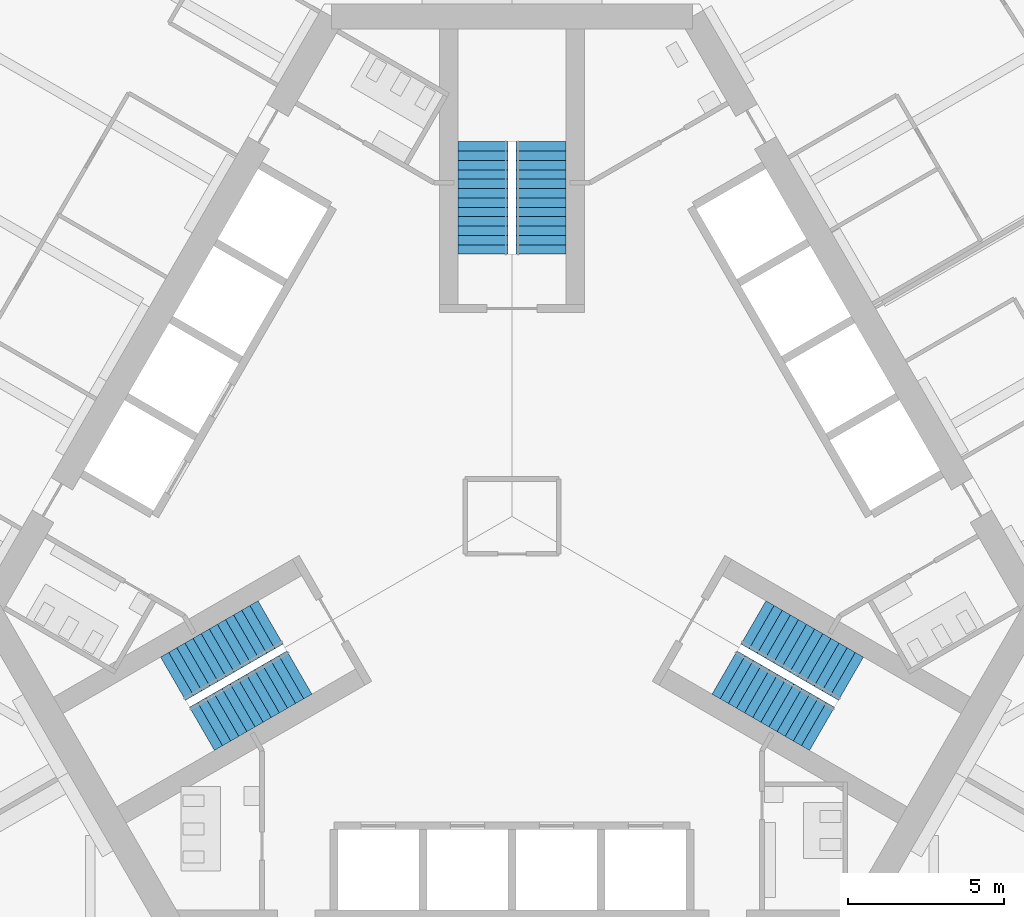
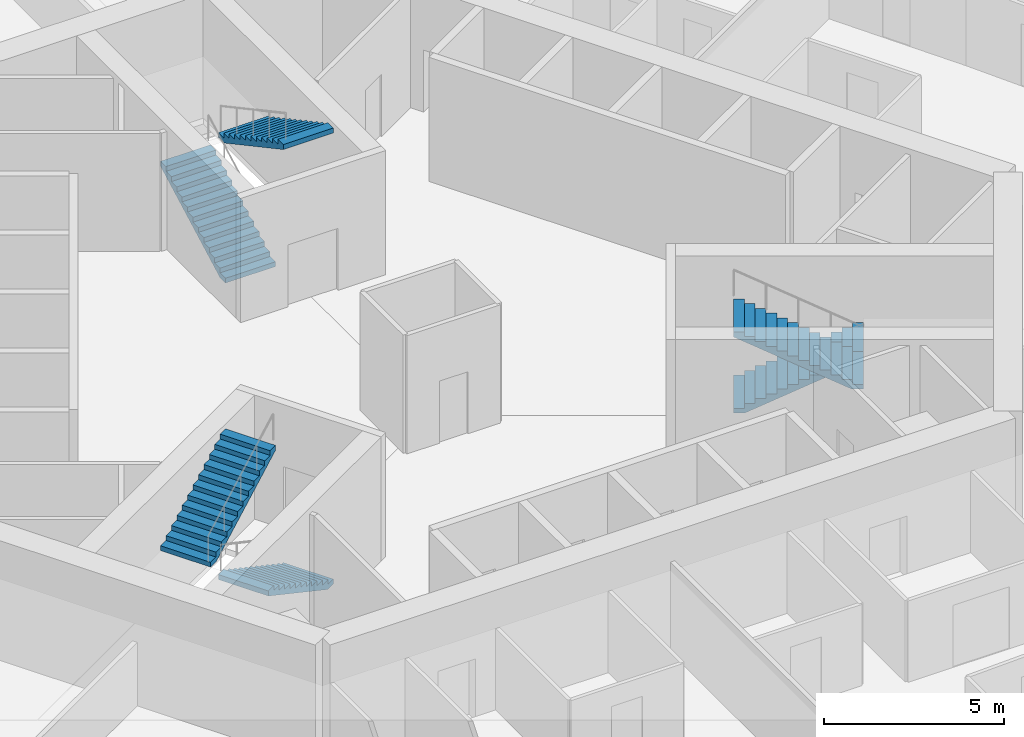
# One storey, part 14 of 19: 6 stair flights, 3 elements without a shape of their own.
"""IFC4 building model written with IfcOpenShell, lengths in metres."""

from ifc_helpers import new_model, si_unit, direction, frame, origin, place, context, subcontext, project, spatial, polyline, outline, extrude, material, type_object, element, aggregate, save


model = new_model("IFC4")

# Units and contexts
model_context = context("Model", 3, precision=1e-05, world=origin(), true_north=direction((0.0, 1.0)))
body_context = subcontext(model_context, "Body", "Model", "MODEL_VIEW")
ifc_project = project(units=[si_unit("LENGTHUNIT", "METRE"), si_unit("AREAUNIT", "SQUARE_METRE"), si_unit("VOLUMEUNIT", "CUBIC_METRE"), si_unit("PLANEANGLEUNIT", "RADIAN"), si_unit("MASSUNIT", "GRAM", prefix="KILO")], contexts=[model_context])

# Site, building, storey
site_placement = place(None, origin())
site = spatial("IfcSite", under=ifc_project, at=site_placement, CompositionType="ELEMENT")
building_placement = place(site_placement, origin())
building = spatial("IfcBuilding", under=site, at=building_placement, Name="Trefoil Bronze Tower", CompositionType="ELEMENT")
storey_placement = place(building_placement, frame((0.0, 0.0, 45.89990234375)))
storey = spatial("IfcBuildingStorey", under=building, at=storey_placement, Name="L10", CompositionType="ELEMENT", Elevation=45.89990234375)

# Stair, stair flights
ifc_material_1 = material(Name="Precast concrete B80", Category="concrete")
stair_type = type_object("IfcStairType", Name="Exit stair 26 risers", PredefinedType="HALF_TURN_STAIR", material=ifc_material_1)
stair_1_placement = place(storey_placement, origin())
stair_1 = element("IfcStair", 1, at=stair_1_placement, inside=storey, type_object=stair_type, Name="Stair ST1 L10", PredefinedType="HALF_TURN_STAIR")
ifc_material_2 = material(Name="Precast concrete B80", Category="concrete")
stair_flight_type = type_object("IfcStairFlightType", Name="Stair flight 1600", PredefinedType="STRAIGHT", material=ifc_material_2)
stair_flight_1_placement = place(storey_placement, frame((7.728515625, -3.39404296875, 0.0), z_axis=(0.0, 0.0, 1.0), x_axis=(0.866025403784, -0.5, 0.0)))
stair_flight_1 = element("IfcStairFlight", 2, at=stair_flight_1_placement, type_object=stair_flight_type, Name="ST1 flight 1", NumberOfRisers=13, NumberOfTreads=12, PredefinedType="STRAIGHT", RiserHeight=0.161538462, TreadLength=0.3, context=body_context, shape_type="SweptSolid", body=[
    extrude(outline(polyline([(0.0, 0.0), (0.0, 0.16162109375), (0.300048828125, 0.16162109375), (0.300048828125, 0.322998046875), (0.60009765625, 0.322998046875), (0.60009765625, 0.484619140625), (0.89990234375, 0.484619140625), (0.89990234375, 0.646240234375), (1.199951171875, 0.646240234375), (1.199951171875, 0.8076171875), (1.5, 0.8076171875), (1.5, 0.96923828125), (1.800048828125, 0.96923828125), (1.800048828125, 1.130859375), (2.10009765625, 1.130859375), (2.10009765625, 1.292236328125), (2.39990234375, 1.292236328125), (2.39990234375, 1.453857421875), (2.699951171875, 1.453857421875), (2.699951171875, 1.615478515625), (3.0, 1.615478515625), (3.0, 1.77685546875), (3.300048828125, 1.77685546875), (3.300048828125, 1.9384765625), (3.60009765625, 1.9384765625), (3.60009765625, 2.10009765625), (3.60009765625, 1.768310546875), (0.316162109375, 0.0), (0.0, 0.0)])), frame((0.0, 0.800048828125, 0.0), z_axis=(0.0, -1.0, 0.0), x_axis=(1.0, 0.0, 0.0)), (0.0, 0.0, 1.0), 1.60009765625),
])
stair_flight_2_placement = place(storey_placement, frame((9.921142578125, -6.796142578125, 2.10009765625), z_axis=(0.0, 0.0, 1.0), x_axis=(-0.866025403784, 0.5, 0.0)))
stair_flight_2 = element("IfcStairFlight", 3, at=stair_flight_2_placement, type_object=stair_flight_type, Name="ST1 flight 2", NumberOfRisers=13, NumberOfTreads=12, PredefinedType="STRAIGHT", RiserHeight=0.161538462, TreadLength=0.3, context=body_context, shape_type="SweptSolid", body=[
    extrude(outline(polyline([(0.0, 0.0), (0.0, 0.16162109375), (0.300048828125, 0.16162109375), (0.300048828125, 0.322998046875), (0.60009765625, 0.322998046875), (0.60009765625, 0.484619140625), (0.89990234375, 0.484619140625), (0.89990234375, 0.646240234375), (1.199951171875, 0.646240234375), (1.199951171875, 0.8076171875), (1.5, 0.8076171875), (1.5, 0.96923828125), (1.800048828125, 0.96923828125), (1.800048828125, 1.130859375), (2.10009765625, 1.130859375), (2.10009765625, 1.292236328125), (2.39990234375, 1.292236328125), (2.39990234375, 1.453857421875), (2.699951171875, 1.453857421875), (2.699951171875, 1.615478515625), (3.0, 1.615478515625), (3.0, 1.77685546875), (3.300048828125, 1.77685546875), (3.300048828125, 1.9384765625), (3.60009765625, 1.9384765625), (3.60009765625, 2.10009765625), (3.60009765625, 1.768310546875), (0.316162109375, 0.0), (0.0, 0.0)])), frame((0.0, 0.800048828125, 0.0), z_axis=(0.0, -1.0, 0.0), x_axis=(1.0, 0.0, 0.0)), (0.0, 0.0, 1.0), 1.60009765625),
])
aggregate(stair_1, [stair_flight_1, stair_flight_2])

stair_2_placement = place(storey_placement, origin())
stair_2 = element("IfcStair", 4, at=stair_2_placement, inside=storey, type_object=stair_type, Name="Stair ST2 L10", PredefinedType="HALF_TURN_STAIR")
stair_flight_3_placement = place(storey_placement, frame((-0.925048828125, 8.389892578125, 0.0), z_axis=(0.0, 0.0, 1.0), x_axis=(0.0, 1.0, 0.0)))
stair_flight_3 = element("IfcStairFlight", 5, at=stair_flight_3_placement, type_object=stair_flight_type, Name="ST2 flight 1", NumberOfRisers=13, NumberOfTreads=12, PredefinedType="STRAIGHT", RiserHeight=0.161538462, TreadLength=0.3, context=body_context, shape_type="SweptSolid", body=[
    extrude(outline(polyline([(0.0, 0.0), (0.0, 0.16162109375), (0.300048828125, 0.16162109375), (0.300048828125, 0.322998046875), (0.60009765625, 0.322998046875), (0.60009765625, 0.484619140625), (0.89990234375, 0.484619140625), (0.89990234375, 0.646240234375), (1.199951171875, 0.646240234375), (1.199951171875, 0.8076171875), (1.5, 0.8076171875), (1.5, 0.96923828125), (1.800048828125, 0.96923828125), (1.800048828125, 1.130859375), (2.10009765625, 1.130859375), (2.10009765625, 1.292236328125), (2.39990234375, 1.292236328125), (2.39990234375, 1.453857421875), (2.699951171875, 1.453857421875), (2.699951171875, 1.615478515625), (3.0, 1.615478515625), (3.0, 1.77685546875), (3.300048828125, 1.77685546875), (3.300048828125, 1.9384765625), (3.60009765625, 1.9384765625), (3.60009765625, 2.10009765625), (3.60009765625, 1.768310546875), (0.316162109375, 0.0), (0.0, 0.0)])), frame((0.0, 0.800048828125, 0.0), z_axis=(0.0, -1.0, 0.0), x_axis=(1.0, 0.0, 0.0)), (0.0, 0.0, 1.0), 1.60009765625),
])
stair_flight_4_placement = place(storey_placement, frame((0.925048828125, 11.989990234375, 2.10009765625), z_axis=(0.0, 0.0, 1.0), x_axis=(0.0, -1.0, 0.0)))
stair_flight_4 = element("IfcStairFlight", 6, at=stair_flight_4_placement, type_object=stair_flight_type, Name="ST2 flight 2", NumberOfRisers=13, NumberOfTreads=12, PredefinedType="STRAIGHT", RiserHeight=0.161538462, TreadLength=0.3, context=body_context, shape_type="SweptSolid", body=[
    extrude(outline(polyline([(0.0, 0.0), (0.0, 0.16162109375), (0.300048828125, 0.16162109375), (0.300048828125, 0.322998046875), (0.60009765625, 0.322998046875), (0.60009765625, 0.484619140625), (0.89990234375, 0.484619140625), (0.89990234375, 0.646240234375), (1.199951171875, 0.646240234375), (1.199951171875, 0.8076171875), (1.5, 0.8076171875), (1.5, 0.96923828125), (1.800048828125, 0.96923828125), (1.800048828125, 1.130859375), (2.10009765625, 1.130859375), (2.10009765625, 1.292236328125), (2.39990234375, 1.292236328125), (2.39990234375, 1.453857421875), (2.699951171875, 1.453857421875), (2.699951171875, 1.615478515625), (3.0, 1.615478515625), (3.0, 1.77685546875), (3.300048828125, 1.77685546875), (3.300048828125, 1.9384765625), (3.60009765625, 1.9384765625), (3.60009765625, 2.10009765625), (3.60009765625, 1.768310546875), (0.316162109375, 0.0), (0.0, 0.0)])), frame((0.0, 0.800048828125, 0.0), z_axis=(0.0, -1.0, 0.0), x_axis=(1.0, 0.0, 0.0)), (0.0, 0.0, 1.0), 1.60009765625),
])
aggregate(stair_2, [stair_flight_3, stair_flight_4])

stair_3_placement = place(storey_placement, origin())
stair_3 = element("IfcStair", 7, at=stair_3_placement, inside=storey, type_object=stair_type, Name="Stair ST3 L10", PredefinedType="HALF_TURN_STAIR")
stair_flight_5_placement = place(storey_placement, frame((-6.803466796875, -4.99609375, 0.0), z_axis=(0.0, 0.0, 1.0), x_axis=(-0.866025403784, -0.5, 0.0)))
stair_flight_5 = element("IfcStairFlight", 8, at=stair_flight_5_placement, type_object=stair_flight_type, Name="ST3 flight 1", NumberOfRisers=13, NumberOfTreads=12, PredefinedType="STRAIGHT", RiserHeight=0.161538462, TreadLength=0.3, context=body_context, shape_type="SweptSolid", body=[
    extrude(outline(polyline([(0.0, 0.0), (0.0, 0.16162109375), (0.300048828125, 0.16162109375), (0.300048828125, 0.322998046875), (0.60009765625, 0.322998046875), (0.60009765625, 0.484619140625), (0.89990234375, 0.484619140625), (0.89990234375, 0.646240234375), (1.199951171875, 0.646240234375), (1.199951171875, 0.8076171875), (1.5, 0.8076171875), (1.5, 0.96923828125), (1.800048828125, 0.96923828125), (1.800048828125, 1.130859375), (2.10009765625, 1.130859375), (2.10009765625, 1.292236328125), (2.39990234375, 1.292236328125), (2.39990234375, 1.453857421875), (2.699951171875, 1.453857421875), (2.699951171875, 1.615478515625), (3.0, 1.615478515625), (3.0, 1.77685546875), (3.300048828125, 1.77685546875), (3.300048828125, 1.9384765625), (3.60009765625, 1.9384765625), (3.60009765625, 2.10009765625), (3.60009765625, 1.768310546875), (0.316162109375, 0.0), (0.0, 0.0)])), frame((0.0, 0.800048828125, 0.0), z_axis=(0.0, -1.0, 0.0), x_axis=(1.0, 0.0, 0.0)), (0.0, 0.0, 1.0), 1.60009765625),
])
stair_flight_6_placement = place(storey_placement, frame((-10.84619140625, -5.19384765625, 2.10009765625), z_axis=(0.0, 0.0, 1.0), x_axis=(0.866025403784, 0.5, 0.0)))
stair_flight_6 = element("IfcStairFlight", 9, at=stair_flight_6_placement, type_object=stair_flight_type, Name="ST3 flight 2", NumberOfRisers=13, NumberOfTreads=12, PredefinedType="STRAIGHT", RiserHeight=0.161538462, TreadLength=0.3, context=body_context, shape_type="SweptSolid", body=[
    extrude(outline(polyline([(0.0, 0.0), (0.0, 0.16162109375), (0.300048828125, 0.16162109375), (0.300048828125, 0.322998046875), (0.60009765625, 0.322998046875), (0.60009765625, 0.484619140625), (0.89990234375, 0.484619140625), (0.89990234375, 0.646240234375), (1.199951171875, 0.646240234375), (1.199951171875, 0.8076171875), (1.5, 0.8076171875), (1.5, 0.96923828125), (1.800048828125, 0.96923828125), (1.800048828125, 1.130859375), (2.10009765625, 1.130859375), (2.10009765625, 1.292236328125), (2.39990234375, 1.292236328125), (2.39990234375, 1.453857421875), (2.699951171875, 1.453857421875), (2.699951171875, 1.615478515625), (3.0, 1.615478515625), (3.0, 1.77685546875), (3.300048828125, 1.77685546875), (3.300048828125, 1.9384765625), (3.60009765625, 1.9384765625), (3.60009765625, 2.10009765625), (3.60009765625, 1.768310546875), (0.316162109375, 0.0), (0.0, 0.0)])), frame((0.0, 0.800048828125, 0.0), z_axis=(0.0, -1.0, 0.0), x_axis=(1.0, 0.0, 0.0)), (0.0, 0.0, 1.0), 1.60009765625),
])
aggregate(stair_3, [stair_flight_5, stair_flight_6])

save(model, "model.ifc")
